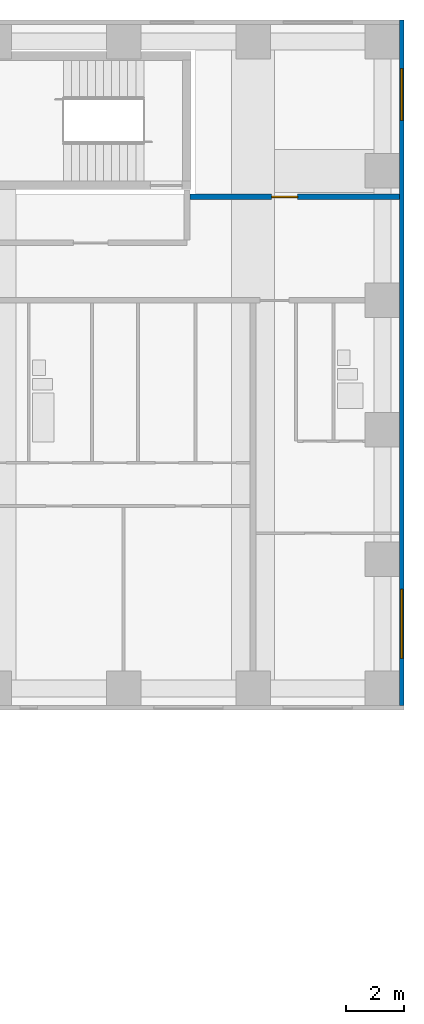
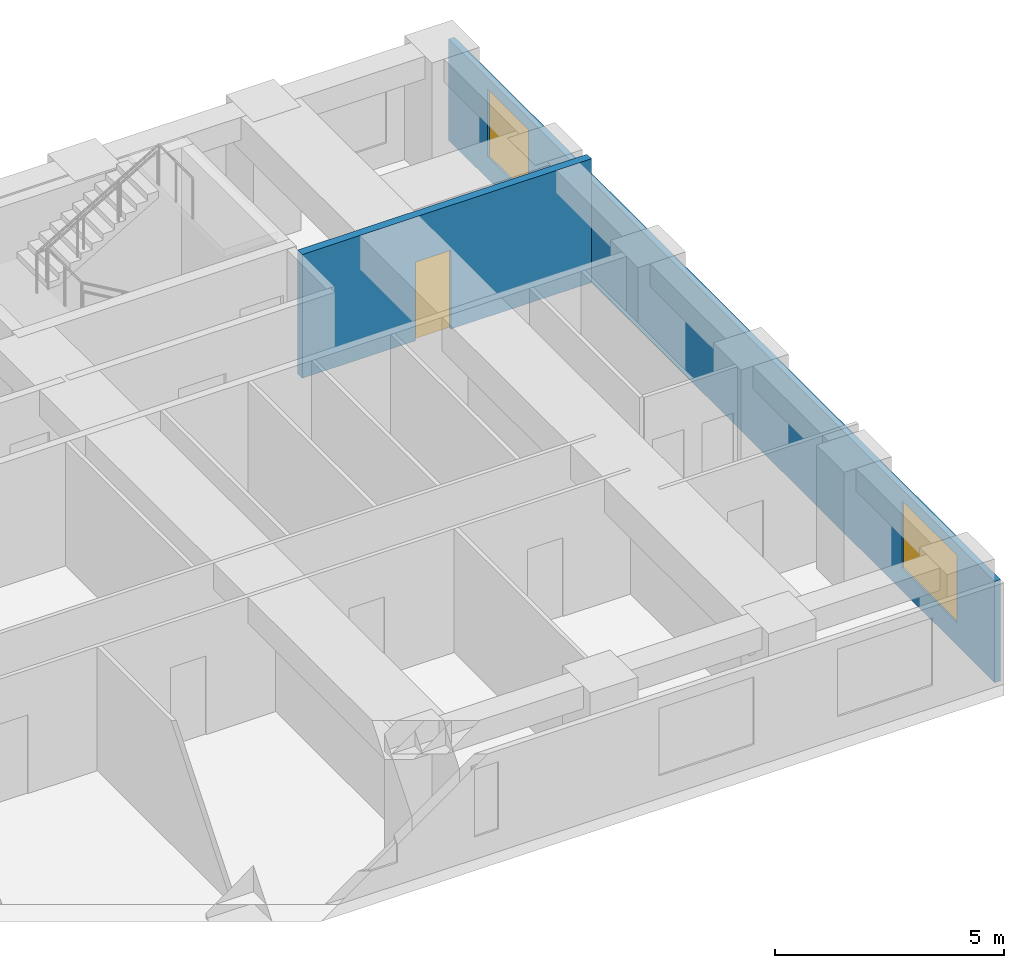
# One storey, part 9 of 12: 2 walls, 2 windows, 1 door, 3 openings.
"""IFC4 building model written with IfcOpenShell, lengths in metres."""

import ifcopenshell
import ifcopenshell.guid

model = None  # the IFC model being written
_history = None  # IfcOwnerHistory: only IFC2X3 demands one
_inside = {}  # id of a spatial element -> (the spatial element, [elements in it])
_under = {}  # id of a project, library or spatial element -> (it, [spatial elements below it])
_declared = {}  # id of a project -> (the project, [libraries it declares])
_typed = {}  # id of a type object -> (the type object, [elements of that type])
_made_of = {}  # id of a material, layer set ... -> (it, [elements and type objects made of it])


def new_model(schema):
    """Start an empty IFC model of exactly this schema.

    Asked for "IFC4X3", IfcOpenShell would pick the latest addendum, in which some entities
    have other attributes; the version numbers below select the first issue.
    IFC2X3 requires an IfcOwnerHistory on every rooted entity: one is made here for all.
    """
    global model, _history
    if schema == "IFC4X3":
        model = ifcopenshell.file(schema_version=(4, 3, 0, 0))
    else:
        model = ifcopenshell.file(schema=schema)
    _inside.clear()
    _under.clear()
    _declared.clear()
    _typed.clear()
    _made_of.clear()
    _history = None
    if model.schema == "IFC2X3":
        org = make("IfcOrganization", Name="unknown")
        user = make(
            "IfcPersonAndOrganization",
            ThePerson=make("IfcPerson", FamilyName="unknown"),
            TheOrganization=org,
        )
        app = make(
            "IfcApplication",
            ApplicationDeveloper=org,
            Version="unknown",
            ApplicationFullName="unknown",
            ApplicationIdentifier="unknown",
        )
        _history = make(
            "IfcOwnerHistory",
            OwningUser=user,
            OwningApplication=app,
            ChangeAction="ADDED",
            CreationDate=0,
        )
    return model


def make(cls, **values):
    """One entity of the class cls with the attributes given. An attribute that is None is left unset."""
    return model.create_entity(
        cls, **{name: value for name, value in values.items() if value is not None}
    )


def rooted(cls, **values):
    """An entity with a GlobalId (a new one), such as an element, a storey or a relation."""
    return make(cls, GlobalId=ifcopenshell.guid.new(), OwnerHistory=_history, **values)


def si_unit(unit_type, name, prefix=None):
    """IfcSIUnit, for example si_unit("LENGTHUNIT", "METRE", prefix="MILLI")."""
    return make("IfcSIUnit", UnitType=unit_type, Prefix=prefix, Name=name)


def assignment(units):
    """IfcUnitAssignment: the units of a project."""
    return None if units is None else make("IfcUnitAssignment", Units=units)


def point(xyz):
    """IfcCartesianPoint."""
    return None if xyz is None else make("IfcCartesianPoint", Coordinates=xyz)


def direction(xyz):
    """IfcDirection."""
    return None if xyz is None else make("IfcDirection", DirectionRatios=xyz)


def frame(location, z_axis=None, x_axis=None):
    """IfcAxis2Placement3D, a coordinate frame: its origin and axes. An axis left out is left unset."""
    return make(
        "IfcAxis2Placement3D",
        Location=point(location),
        Axis=direction(z_axis),
        RefDirection=direction(x_axis),
    )


def frame_2d(location, x_axis=None):
    """IfcAxis2Placement2D, a coordinate frame in the plane: its origin and x axis."""
    return make(
        "IfcAxis2Placement2D", Location=point(location), RefDirection=direction(x_axis)
    )


def origin():
    """The frame at (0, 0, 0) with its axes left unset."""
    return frame((0.0, 0.0, 0.0))


def place(relative_to, where):
    """IfcLocalPlacement: puts the frame where relative to a parent placement (None: the world)."""
    return make(
        "IfcLocalPlacement", PlacementRelTo=relative_to, RelativePlacement=where
    )


def context(
    kind, dimensions, precision=None, world=None, true_north=None, identifier=None
):
    """IfcGeometricRepresentationContext, for example the 3D "Model" context."""
    return make(
        "IfcGeometricRepresentationContext",
        ContextIdentifier=identifier,
        ContextType=kind,
        CoordinateSpaceDimension=dimensions,
        Precision=precision,
        WorldCoordinateSystem=world,
        TrueNorth=true_north,
    )


def subcontext(parent, identifier, kind, view, scale=None):
    """IfcGeometricRepresentationSubContext, for example "Body" below "Model"."""
    return make(
        "IfcGeometricRepresentationSubContext",
        ContextIdentifier=identifier,
        ContextType=kind,
        ParentContext=parent,
        TargetScale=scale,
        TargetView=view,
    )


def project(units=None, contexts=None):
    """IfcProject with its units and contexts."""
    return rooted(
        "IfcProject",
        Name="project",
        RepresentationContexts=contexts,
        UnitsInContext=assignment(units),
    )


def spatial(cls, under=None, at=None, **own):
    """A site, building, storey or space (cls), placed at a placement, below another one or the project."""
    s = rooted(cls, ObjectPlacement=at, **own)
    if under is not None:
        _under.setdefault(under.id(), (under, []))[1].append(s)
    return s


def profile(cls, at=None, kind="AREA", **sizes):
    """A parametric profile (cls). Its sizes go by their IFC names, for example OverallWidth=200.0."""
    return make(cls, ProfileType=kind, Position=at, **sizes)


def rectangle(**sizes):
    """IfcRectangleProfileDef."""
    return profile("IfcRectangleProfileDef", **sizes)


def extrude(swept, where, along, depth):
    """IfcExtrudedAreaSolid: the profile swept, set in the frame where, extruded along a direction by depth."""
    return make(
        "IfcExtrudedAreaSolid",
        SweptArea=swept,
        Position=where,
        ExtrudedDirection=direction(along),
        Depth=depth,
    )


def shape(context_of_items, identifier, shape_type, items):
    """IfcShapeRepresentation: the items that make up one representation, for example the "Body"."""
    return make(
        "IfcShapeRepresentation",
        ContextOfItems=context_of_items,
        RepresentationIdentifier=identifier,
        RepresentationType=shape_type,
        Items=items,
    )


def material(Name=None, Category=None):
    """IfcMaterial."""
    return make("IfcMaterial", Name=Name, Category=Category)


def layer(
    of_material, thickness, ventilated=None, Name=None, Category=None, Priority=None
):
    """IfcMaterialLayer: one layer of a wall or slab, of a material (None: an air gap)."""
    return make(
        "IfcMaterialLayer",
        Material=of_material,
        LayerThickness=thickness,
        IsVentilated=ventilated,
        Name=Name,
        Category=Category,
        Priority=Priority,
    )


def layer_set(layers, Name=None):
    """IfcMaterialLayerSet."""
    return make("IfcMaterialLayerSet", MaterialLayers=layers, LayerSetName=Name)


def made_of(thing, what):
    """Note that an element or type object is made of a material, layer set ...; save() writes the relation."""
    if what is not None:
        _made_of.setdefault(what.id(), (what, []))[1].append(thing)
    return thing


def type_object(cls, material=None, **own):
    """A type object (cls), such as IfcWallType, which elements share."""
    return made_of(rooted(cls, **own), material)


def element(
    cls,
    number,
    at=None,
    inside=None,
    cuts=None,
    type_object=None,
    material=None,
    context=None,
    identifier="Body",
    shape_type=None,
    held_by="IfcProductDefinitionShape",
    body=None,
    shapes=None,
    **own,
):
    """One element of the class cls, such as IfcWall. Its Tag is "e" and its number.

    at: its placement. inside: the storey or other place that contains it. cuts: it is an
    opening in that element (IfcRelVoidsElement). A single representation is given by context,
    identifier, shape_type and body (its items); several are given by shapes. held_by: the class
    of the entity that holds the representations. save() writes the other relations.
    """
    e = rooted(cls, Tag="e%d" % number, ObjectPlacement=at, **own)
    if body is not None:
        shapes = [shape(context, identifier, shape_type, body)]
    if shapes is not None:
        e.Representation = make(held_by, Representations=shapes)
    if inside is not None:
        _inside.setdefault(inside.id(), (inside, []))[1].append(e)
    if cuts is not None:
        rooted(
            "IfcRelVoidsElement", RelatingBuildingElement=cuts, RelatedOpeningElement=e
        )
    if type_object is not None:
        _typed.setdefault(type_object.id(), (type_object, []))[1].append(e)
    return made_of(e, material)


def fill(opening, filler):
    """IfcRelFillsElement: the door or window that sits in an opening."""
    return rooted(
        "IfcRelFillsElement",
        RelatingOpeningElement=opening,
        RelatedBuildingElement=filler,
    )


def aggregate(whole, parts):
    """IfcRelAggregates: a whole, such as a stair, and the parts it consists of."""
    return rooted("IfcRelAggregates", RelatingObject=whole, RelatedObjects=parts)


def save(model, path):
    """Write the relations noted so far, then the file.

    IfcRelAggregates (storeys below a building ...), IfcRelContainedInSpatialStructure (elements
    in a storey), IfcRelDefinesByType, IfcRelAssociatesMaterial and IfcRelDeclares: one each for
    every whole, place, type object, material and project.
    """
    for whole, parts in _under.values():
        aggregate(whole, parts)
    for where, things in _inside.values():
        rooted(
            "IfcRelContainedInSpatialStructure",
            RelatedElements=things,
            RelatingStructure=where,
        )
    for kind, things in _typed.values():
        rooted("IfcRelDefinesByType", RelatedObjects=things, RelatingType=kind)
    for what, things in _made_of.values():
        rooted("IfcRelAssociatesMaterial", RelatedObjects=things, RelatingMaterial=what)
    for by, libraries in _declared.values():
        rooted("IfcRelDeclares", RelatingContext=by, RelatedDefinitions=libraries)
    model.write(path)


model = new_model("IFC4")

# Units and contexts
model_context = context("Model", 3, precision=1e-05, world=origin(), true_north=direction((0.0, 1.0)))
body_context = subcontext(model_context, "Body", "Model", "MODEL_VIEW")
ifc_project = project(units=[si_unit("LENGTHUNIT", "METRE"), si_unit("AREAUNIT", "SQUARE_METRE"), si_unit("VOLUMEUNIT", "CUBIC_METRE"), si_unit("PLANEANGLEUNIT", "RADIAN"), si_unit("MASSUNIT", "GRAM", prefix="KILO")], contexts=[model_context])

# Site, building, storey
site_placement = place(None, origin())
site = spatial("IfcSite", under=ifc_project, at=site_placement, CompositionType="ELEMENT")
building_placement = place(site_placement, origin())
building = spatial("IfcBuilding", under=site, at=building_placement, Name="Firuza Court", CompositionType="ELEMENT")
storey_placement = place(building_placement, frame((0.0, 0.0, 39.800048828125)))
storey = spatial("IfcBuildingStorey", under=building, at=storey_placement, Name="L08", CompositionType="ELEMENT", Elevation=39.800048828125)

# Wall, opening, door
ifc_material_1 = material(Name="Blockwork, plastered both sides", Category="masonry")
ifc_layer_1 = layer(ifc_material_1, 0.199951171875)
ifc_layer_set_1 = layer_set([ifc_layer_1], Name="Blockwork, plastered both sides")
wall_type_1 = type_object("IfcWallType", Name="Corridor wall 200", PredefinedType="PARTITIONING", material=ifc_layer_set_1)
wall_1_placement = place(storey_placement, frame((60.800048828125, 53.10009765625, 0.0), z_axis=(0.0, 0.0, 1.0), x_axis=(1.0, 0.0, 0.0)))
wall_1 = element("IfcWall", 1, at=wall_1_placement, inside=storey, type_object=wall_type_1, Name="Corridor wall 200 L08", PredefinedType="PARTITIONING", context=body_context, shape_type="SweptSolid", body=[
    extrude(rectangle(XDim=7.300048828125, YDim=0.199951171875, at=frame_2d((3.64990234375, 0.0))), origin(), (0.0, 0.0, 1.0), 3.300048828125),
])
opening_1_placement = place(wall_1_placement, frame((2.85009765625, 0.0, 0.0)))
opening_1 = element("IfcOpeningElement", 2, at=opening_1_placement, cuts=wall_1, Name="Opening D08080", PredefinedType="OPENING", context=body_context, shape_type="SweptSolid", body=[
    extrude(rectangle(XDim=0.89990234375, YDim=2.10009765625, at=frame_2d((0.449951171875, 1.050048828125))), frame((0.0, 0.11181640625, 0.0), z_axis=(0.0, -1.0, 0.0), x_axis=(1.0, 0.0, 0.0)), (0.0, 0.0, 1.0), 0.223876953125),
])
ifc_material_2 = material(Name="Timber door leaf in hardwood frame", Category="wood")
door_type = type_object("IfcDoorType", Name="Room door 900 EI 30", OperationType="SINGLE_SWING_LEFT", PredefinedType="DOOR", material=ifc_material_2)
door_placement = place(opening_1_placement, origin())
door = element("IfcDoor", 3, at=door_placement, inside=storey, type_object=door_type, Name="Meeting room door", OperationType="SINGLE_SWING_LEFT", OverallHeight=2.10009765625, OverallWidth=0.89990234375, PredefinedType="DOOR", context=body_context, shape_type="SweptSolid", body=[
    extrude(rectangle(XDim=0.89990234375, YDim=2.10009765625, at=frame_2d((0.449951171875, 1.050048828125))), frame((0.0, 0.02490234375, 0.0), z_axis=(0.0, -1.0, 0.0), x_axis=(1.0, 0.0, 0.0)), (0.0, 0.0, 1.0), 0.050048828125),
])
fill(opening_1, door)

# Wall, openings, windows
ifc_material_3 = material(Name="Ceramic tile", Category="ceramic")
ifc_layer_2 = layer(ifc_material_3, 0.02001953125)
ifc_material_4 = material(Name="Mineral wool insulation", Category="insulation")
ifc_layer_3 = layer(ifc_material_4, 0.050048828125)
ifc_material_5 = material(Name="Concrete C40/50 precast", Category="concrete")
ifc_layer_4 = layer(ifc_material_5, 0.080078125)
ifc_layer_set_2 = layer_set([ifc_layer_2, ifc_layer_3, ifc_layer_4], Name="Concrete C40/50 precast")
wall_type_2 = type_object("IfcWallType", Name="Precast cladding wall with turquoise TILE PANEL face 150", PredefinedType="STANDARD", material=ifc_layer_set_2)
wall_2_placement = place(storey_placement, frame((68.175048828125, 35.39990234375, 0.0), z_axis=(0.0, 0.0, 1.0), x_axis=(0.0, 1.0, 0.0)))
wall_2 = element("IfcWall", 4, at=wall_2_placement, inside=storey, type_object=wall_type_2, Name="Facade wall L08 E", PredefinedType="STANDARD", context=body_context, shape_type="SweptSolid", body=[
    extrude(rectangle(XDim=23.85009765625, YDim=0.14990234375, at=frame_2d((11.925048828125, 0.0))), origin(), (0.0, 0.0, 1.0), 2.699951171875),
])
opening_2_placement = place(wall_2_placement, frame((1.64990234375, 0.0, 0.60009765625)))
opening_2 = element("IfcOpeningElement", 5, at=opening_2_placement, cuts=wall_2, Name="Opening W1", PredefinedType="OPENING", context=body_context, shape_type="SweptSolid", body=[
    extrude(rectangle(XDim=2.39990234375, YDim=1.800048828125, at=frame_2d((1.199951171875, 0.89990234375))), frame((0.0, 0.0869140625, 0.0), z_axis=(0.0, -1.0, 0.0), x_axis=(1.0, 0.0, 0.0)), (0.0, 0.0, 1.0), 0.173828125),
])
opening_3_placement = place(wall_2_placement, frame((20.354736328125, 0.0, 0.60009765625)))
opening_3 = element("IfcOpeningElement", 6, at=opening_3_placement, cuts=wall_2, Name="Opening W7", PredefinedType="OPENING", context=body_context, shape_type="SweptSolid", body=[
    extrude(rectangle(XDim=1.800048828125, YDim=1.800048828125, at=frame_2d((0.89990234375, 0.89990234375))), frame((0.0, 0.0869140625, 0.0), z_axis=(0.0, -1.0, 0.0), x_axis=(1.0, 0.0, 0.0)), (0.0, 0.0, 1.0), 0.173828125),
])
ifc_material_6 = material(Name="Aluminium frame, triple clear glazing", Category="aluminium")
window_type_1 = type_object("IfcWindowType", Name="Window W1 2400 x 1800", PartitioningType="SINGLE_PANEL", PredefinedType="WINDOW", material=ifc_material_6)
window_1_placement = place(opening_2_placement, origin())
window_1 = element("IfcWindow", 7, at=window_1_placement, inside=storey, type_object=window_type_1, Name="Window L08", OverallHeight=1.800048828125, OverallWidth=2.39990234375, PartitioningType="SINGLE_PANEL", PredefinedType="WINDOW", context=body_context, shape_type="SweptSolid", body=[
    extrude(rectangle(XDim=2.39990234375, YDim=1.800048828125, at=frame_2d((1.199951171875, 0.89990234375))), frame((0.0, 0.030029296875, 0.0), z_axis=(0.0, -1.0, 0.0), x_axis=(1.0, 0.0, 0.0)), (0.0, 0.0, 1.0), 0.06005859375),
])
fill(opening_2, window_1)
ifc_material_7 = material(Name="Aluminium frame, triple clear glazing", Category="aluminium")
window_type_2 = type_object("IfcWindowType", Name="Window W7 1800 x 1800", PartitioningType="SINGLE_PANEL", PredefinedType="WINDOW", material=ifc_material_7)
window_2_placement = place(opening_3_placement, origin())
window_2 = element("IfcWindow", 8, at=window_2_placement, inside=storey, type_object=window_type_2, Name="Window L08", OverallHeight=1.800048828125, OverallWidth=1.800048828125, PartitioningType="SINGLE_PANEL", PredefinedType="WINDOW", context=body_context, shape_type="SweptSolid", body=[
    extrude(rectangle(XDim=1.800048828125, YDim=1.800048828125, at=frame_2d((0.89990234375, 0.89990234375))), frame((0.0, 0.030029296875, 0.0), z_axis=(0.0, -1.0, 0.0), x_axis=(1.0, 0.0, 0.0)), (0.0, 0.0, 1.0), 0.06005859375),
])
fill(opening_3, window_2)

save(model, "model.ifc")
